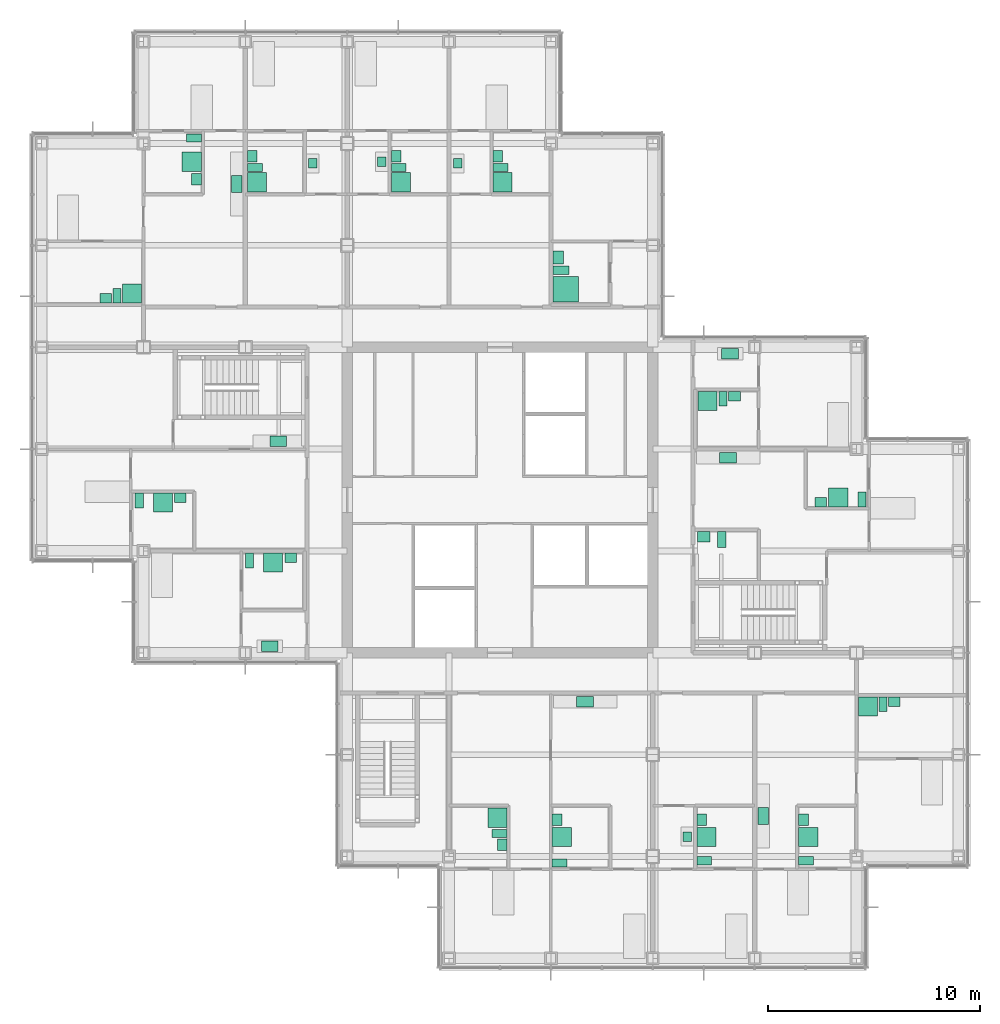
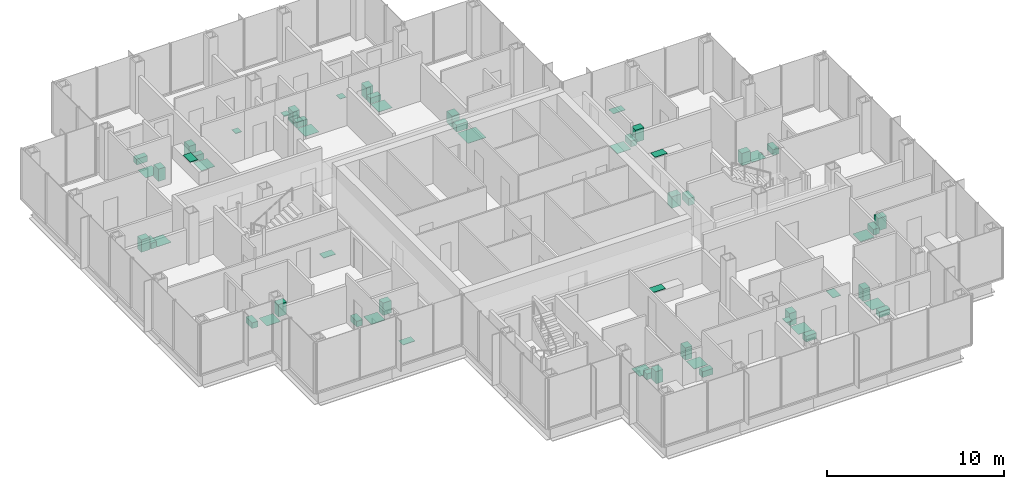
# One storey, part 19 of 20: 58 sanitary terminals.
"""IFC4 building model written with IfcOpenShell, lengths in metres."""

from ifc_helpers import new_model, si_unit, direction, frame, origin, origin_2d, place, context, subcontext, project, spatial, rectangle, extrude, material, type_object, element, save


model = new_model("IFC4")

# Units and contexts
model_context = context("Model", 3, precision=1e-05, world=origin(), true_north=direction((0.0, 1.0)))
body_context = subcontext(model_context, "Body", "Model", "MODEL_VIEW")
ifc_project = project(units=[si_unit("LENGTHUNIT", "METRE"), si_unit("AREAUNIT", "SQUARE_METRE"), si_unit("VOLUMEUNIT", "CUBIC_METRE"), si_unit("PLANEANGLEUNIT", "RADIAN"), si_unit("MASSUNIT", "GRAM", prefix="KILO")], contexts=[model_context])

# Site, building, storey
site_placement = place(None, origin())
site = spatial("IfcSite", under=ifc_project, at=site_placement, CompositionType="ELEMENT")
building_placement = place(site_placement, origin())
building = spatial("IfcBuilding", under=site, at=building_placement, Name="Kvirike Care Tower", CompositionType="ELEMENT")
storey_placement = place(building_placement, frame((0.0, 0.0, 119.0)))
storey = spatial("IfcBuildingStorey", under=building, at=storey_placement, Name="L32", CompositionType="ELEMENT", Elevation=119.0)

# Sanitary terminals
ifc_material_1 = material(Name="Vitreous china", Category="ceramic")
sanitary_terminal_type_1 = type_object("IfcSanitaryTerminalType", Name="ACCESSIBLE WASH BASIN 600 x 500", PredefinedType="WASHHANDBASIN", material=ifc_material_1)
for number, where, z_axis, x_axis, name in (
    (1, (24.35205078125, 47.425048828125, 0.02001953125), (0.0, 0.0, 1.0), (0.0, 1.0, 0.0), "Accessible wash basin L32-032"),
    (2, (31.199951171875, 34.27294921875, 0.02001953125), (0.0, 0.0, 1.0), (1.0, 0.0, 0.0), "Accessible wash basin L32-056"),
):
    element("IfcSanitaryTerminal", number, at=place(storey_placement, frame(where, z_axis=z_axis, x_axis=x_axis)), inside=storey, type_object=sanitary_terminal_type_1, Name=name, PredefinedType="WASHHANDBASIN", context=body_context, shape_type="SweptSolid", body=[
        extrude(rectangle(XDim=0.60009765625, YDim=0.5, at=origin_2d()), origin(), (0.0, 0.0, 1.0), 0.800048828125),
    ])
ifc_material_2 = material(Name="Vitreous china", Category="ceramic")
sanitary_terminal_type_2 = type_object("IfcSanitaryTerminalType", Name="ACCESSIBLE WC PAN 400 x 750", PredefinedType="TOILETPAN", material=ifc_material_2)
for number, where, z_axis, x_axis, name in (
    (3, (24.47705078125, 46.824951171875, 0.02001953125), (0.0, 0.0, 1.0), (0.0, 1.0, 0.0), "Accessible WC pan L32-032"),
    (4, (32.050048828125, 34.14794921875, 0.02001953125), (0.0, 0.0, 1.0), (1.0, 0.0, 0.0), "Accessible WC pan L32-056"),
):
    element("IfcSanitaryTerminal", number, at=place(storey_placement, frame(where, z_axis=z_axis, x_axis=x_axis)), inside=storey, type_object=sanitary_terminal_type_2, Name=name, PredefinedType="TOILETPAN", context=body_context, shape_type="SweptSolid", body=[
        extrude(rectangle(XDim=0.39990234375, YDim=0.75, at=origin_2d()), origin(), (0.0, 0.0, 1.0), 0.47998046875),
    ])
ifc_material_3 = material(Name="Stainless steel", Category="steel")
sanitary_terminal_type_3 = type_object("IfcSanitaryTerminalType", Name="KITCHEN SINK 450 x 400", PredefinedType="SINK", material=ifc_material_3)
for number, where, z_axis, x_axis, name in (
    (5, (12.777099609375, 51.860107421875, 0.89990234375), (0.0, 0.0, 1.0), (0.0, 1.0, 0.0), "Kitchen sink L32-014"),
    (6, (19.60205078125, 51.860107421875, 0.89990234375), (0.0, 0.0, 1.0), (0.0, 1.0, 0.0), "Kitchen sink L32-036"),
    (7, (16.02294921875, 51.93994140625, 0.89990234375), (0.0, 0.0, 1.0), (0.0, -1.0, 0.0), "Kitchen sink L32-040"),
    (8, (30.423095703125, 20.139892578125, 0.89990234375), (0.0, 0.0, 1.0), (0.0, -1.0, 0.0), "Kitchen sink L32-045"),
):
    element("IfcSanitaryTerminal", number, at=place(storey_placement, frame(where, z_axis=z_axis, x_axis=x_axis)), inside=storey, type_object=sanitary_terminal_type_3, Name=name, PredefinedType="SINK", context=body_context, shape_type="SweptSolid", body=[
        extrude(rectangle(XDim=0.449951171875, YDim=0.39990234375, at=origin_2d()), origin(), (0.0, 0.0, 1.0), 0.030029296875),
    ])
ifc_material_4 = material(Name="Stainless steel", Category="steel")
sanitary_terminal_type_4 = type_object("IfcSanitaryTerminalType", Name="KITCHEN SINK 800 x 500", PredefinedType="SINK", material=ifc_material_4)
for number, where, z_axis, x_axis, name in (
    (9, (11.14990234375, 38.761962890625, 0.89990234375), (0.0, 0.0, 1.0), (-1.0, 0.0, 0.0), "Kitchen sink L32-006"),
    (10, (10.75, 29.10205078125, 0.89990234375), (0.0, 0.0, 1.0), (-1.0, 0.0, 0.0), "Kitchen sink L32-010"),
    (11, (9.197998046875, 50.889892578125, 0.89990234375), (0.0, 0.0, 1.0), (0.0, -1.0, 0.0), "Kitchen sink L32-020"),
    (12, (25.610107421875, 26.498046875, 0.89990234375), (0.0, 0.0, 1.0), (1.0, 0.0, 0.0), "Kitchen sink L32-029"),
    (13, (34.001953125, 21.110107421875, 0.89990234375), (0.0, 0.0, 1.0), (0.0, 1.0, 0.0), "Kitchen sink L32-051"),
    (14, (32.35009765625, 37.998046875, 0.89990234375), (0.0, 0.0, 1.0), (1.0, 0.0, 0.0), "Kitchen sink L32-058"),
    (15, (32.449951171875, 42.89794921875, 0.89990234375), (0.0, 0.0, 1.0), (1.0, 0.0, 0.0), "Kitchen sink L32-061"),
):
    element("IfcSanitaryTerminal", number, at=place(storey_placement, frame(where, z_axis=z_axis, x_axis=x_axis)), inside=storey, type_object=sanitary_terminal_type_4, Name=name, PredefinedType="SINK", context=body_context, shape_type="SweptSolid", body=[
        extrude(rectangle(XDim=0.800048828125, YDim=0.5, at=origin_2d()), origin(), (0.0, 0.0, 1.0), 0.030029296875),
    ])
ifc_material_5 = material(Name="Stainless steel", Category="steel")
sanitary_terminal_type_5 = type_object("IfcSanitaryTerminalType", Name="LEVEL-ACCESS SHOWER 1200 x 1200", PredefinedType="SHOWER", material=ifc_material_5)
sanitary_terminal_placement = place(storey_placement, frame((24.701904296875, 45.925048828125, 0.02001953125), z_axis=(0.0, 0.0, 1.0), x_axis=(0.0, 1.0, 0.0)))
element("IfcSanitaryTerminal", 16, at=sanitary_terminal_placement, inside=storey, type_object=sanitary_terminal_type_5, Name="Level-access shower L32-032", PredefinedType="SHOWER", context=body_context, shape_type="SweptSolid", body=[
    extrude(rectangle(XDim=1.199951171875, YDim=1.199951171875, at=origin_2d()), origin(), (0.0, 0.0, 1.0), 0.02001953125),
])
ifc_material_6 = material(Name="Stainless steel", Category="steel")
sanitary_terminal_type_6 = type_object("IfcSanitaryTerminalType", Name="LEVEL-ACCESS SHOWER 900 x 900", PredefinedType="SHOWER", material=ifc_material_6)
for number, where, z_axis, x_axis, name in (
    (17, (5.7099609375, 35.873046875, 0.02001953125), (0.0, 0.0, 1.0), (1.0, 0.0, 0.0), "Level-access shower L32-005"),
    (18, (10.909912109375, 33.048095703125, 0.02001953125), (0.0, 0.0, 1.0), (1.0, 0.0, 0.0), "Level-access shower L32-009"),
    (19, (10.152099609375, 50.97509765625, 0.02001953125), (0.0, 0.0, 1.0), (0.0, 1.0, 0.0), "Level-access shower L32-013"),
    (20, (7.072998046875, 51.93994140625, 0.02001953125), (0.0, 0.0, 1.0), (0.0, -1.0, 0.0), "Level-access shower L32-018"),
    (21, (4.25, 45.72705078125, 0.02001953125), (0.0, 0.0, 1.0), (-1.0, 0.0, 0.0), "Level-access shower L32-019"),
    (22, (21.472900390625, 21.02490234375, 0.02001953125), (0.0, 0.0, 1.0), (0.0, -1.0, 0.0), "Level-access shower L32-026"),
    (23, (24.511962890625, 20.110107421875, 0.02001953125), (0.0, 0.0, 1.0), (0.0, 1.0, 0.0), "Level-access shower L32-027"),
    (24, (21.72705078125, 50.97509765625, 0.02001953125), (0.0, 0.0, 1.0), (0.0, 1.0, 0.0), "Level-access shower L32-035"),
    (25, (16.927001953125, 50.97509765625, 0.02001953125), (0.0, 0.0, 1.0), (0.0, 1.0, 0.0), "Level-access shower L32-039"),
    (26, (31.326904296875, 20.110107421875, 0.02001953125), (0.0, 0.0, 1.0), (0.0, 1.0, 0.0), "Level-access shower L32-044"),
    (27, (36.126953125, 20.110107421875, 0.02001953125), (0.0, 0.0, 1.0), (0.0, 1.0, 0.0), "Level-access shower L32-049"),
    (28, (38.949951171875, 26.27294921875, 0.02001953125), (0.0, 0.0, 1.0), (1.0, 0.0, 0.0), "Level-access shower L32-050"),
    (29, (37.5400390625, 36.126953125, 0.02001953125), (0.0, 0.0, 1.0), (-1.0, 0.0, 0.0), "Level-access shower L32-057"),
    (30, (31.375, 40.673095703125, 0.02001953125), (0.0, 0.0, 1.0), (1.0, 0.0, 0.0), "Level-access shower L32-060"),
):
    element("IfcSanitaryTerminal", number, at=place(storey_placement, frame(where, z_axis=z_axis, x_axis=x_axis)), inside=storey, type_object=sanitary_terminal_type_6, Name=name, PredefinedType="SHOWER", context=body_context, shape_type="SweptSolid", body=[
        extrude(rectangle(XDim=0.89990234375, YDim=0.89990234375, at=origin_2d()), origin(), (0.0, 0.0, 1.0), 0.02001953125),
    ])
ifc_material_7 = material(Name="Vitreous china", Category="ceramic")
sanitary_terminal_type_7 = type_object("IfcSanitaryTerminalType", Name="WASH BASIN 550 x 450", PredefinedType="WASHHANDBASIN", material=ifc_material_7)
for number, where, z_axis, x_axis, name in (
    (31, (6.534912109375, 36.097900390625, 0.02001953125), (0.0, 0.0, 1.0), (1.0, 0.0, 0.0), "Wash basin L32-005"),
    (32, (11.735107421875, 33.27294921875, 0.02001953125), (0.0, 0.0, 1.0), (1.0, 0.0, 0.0), "Wash basin L32-009"),
    (33, (9.927001953125, 52.199951171875, 0.02001953125), (0.0, 0.0, 1.0), (0.0, 1.0, 0.0), "Wash basin L32-013"),
    (34, (7.298095703125, 51.114990234375, 0.02001953125), (0.0, 0.0, 1.0), (0.0, -1.0, 0.0), "Wash basin L32-018"),
    (35, (3.02490234375, 45.501953125, 0.02001953125), (0.0, 0.0, 1.0), (-1.0, 0.0, 0.0), "Wash basin L32-019"),
    (36, (21.697998046875, 19.75, 0.02001953125), (0.0, 0.0, 1.0), (0.0, -1.0, 0.0), "Wash basin L32-026"),
    (37, (24.287109375, 20.93505859375, 0.02001953125), (0.0, 0.0, 1.0), (0.0, 1.0, 0.0), "Wash basin L32-027"),
    (38, (21.501953125, 52.199951171875, 0.02001953125), (0.0, 0.0, 1.0), (0.0, 1.0, 0.0), "Wash basin L32-035"),
    (39, (16.701904296875, 52.199951171875, 0.02001953125), (0.0, 0.0, 1.0), (0.0, 1.0, 0.0), "Wash basin L32-039"),
    (40, (31.10205078125, 20.93505859375, 0.02001953125), (0.0, 0.0, 1.0), (0.0, 1.0, 0.0), "Wash basin L32-044"),
    (41, (35.902099609375, 20.93505859375, 0.02001953125), (0.0, 0.0, 1.0), (0.0, 1.0, 0.0), "Wash basin L32-049"),
    (42, (40.175048828125, 26.498046875, 0.02001953125), (0.0, 0.0, 1.0), (1.0, 0.0, 0.0), "Wash basin L32-050"),
    (43, (36.715087890625, 35.902099609375, 0.02001953125), (0.0, 0.0, 1.0), (-1.0, 0.0, 0.0), "Wash basin L32-057"),
    (44, (32.64990234375, 40.89794921875, 0.02001953125), (0.0, 0.0, 1.0), (1.0, 0.0, 0.0), "Wash basin L32-060"),
):
    element("IfcSanitaryTerminal", number, at=place(storey_placement, frame(where, z_axis=z_axis, x_axis=x_axis)), inside=storey, type_object=sanitary_terminal_type_7, Name=name, PredefinedType="WASHHANDBASIN", context=body_context, shape_type="SweptSolid", body=[
        extrude(rectangle(XDim=0.550048828125, YDim=0.449951171875, at=origin_2d()), origin(), (0.0, 0.0, 1.0), 0.85009765625),
    ])
ifc_material_8 = material(Name="Vitreous china", Category="ceramic")
sanitary_terminal_type_8 = type_object("IfcSanitaryTerminalType", Name="WC PAN 380 x 700", PredefinedType="TOILETPAN", material=ifc_material_8)
for number, where, z_axis, x_axis, name in (
    (45, (4.60009765625, 35.972900390625, 0.02001953125), (0.0, 0.0, 1.0), (1.0, 0.0, 0.0), "WC pan L32-005"),
    (46, (9.800048828125, 33.14794921875, 0.02001953125), (0.0, 0.0, 1.0), (1.0, 0.0, 0.0), "WC pan L32-009"),
    (47, (10.052001953125, 51.6650390625, 0.02001953125), (0.0, 0.0, 1.0), (0.0, 1.0, 0.0), "WC pan L32-013"),
    (48, (7.173095703125, 53.050048828125, 0.02001953125), (0.0, 0.0, 1.0), (0.0, -1.0, 0.0), "WC pan L32-018"),
    (49, (3.56005859375, 45.626953125, 0.02001953125), (0.0, 0.0, 1.0), (-1.0, 0.0, 0.0), "WC pan L32-019"),
    (50, (21.572998046875, 20.284912109375, 0.02001953125), (0.0, 0.0, 1.0), (0.0, -1.0, 0.0), "WC pan L32-026"),
    (51, (24.412109375, 18.89990234375, 0.02001953125), (0.0, 0.0, 1.0), (0.0, 1.0, 0.0), "WC pan L32-027"),
    (52, (21.626953125, 51.6650390625, 0.02001953125), (0.0, 0.0, 1.0), (0.0, 1.0, 0.0), "WC pan L32-035"),
    (53, (16.826904296875, 51.6650390625, 0.02001953125), (0.0, 0.0, 1.0), (0.0, 1.0, 0.0), "WC pan L32-039"),
    (54, (31.22705078125, 19.0, 0.02001953125), (0.0, 0.0, 1.0), (0.0, 1.0, 0.0), "WC pan L32-044"),
    (55, (36.027099609375, 19.0, 0.02001953125), (0.0, 0.0, 1.0), (0.0, 1.0, 0.0), "WC pan L32-049"),
    (56, (39.639892578125, 26.373046875, 0.02001953125), (0.0, 0.0, 1.0), (1.0, 0.0, 0.0), "WC pan L32-050"),
    (57, (38.64990234375, 36.027099609375, 0.02001953125), (0.0, 0.0, 1.0), (-1.0, 0.0, 0.0), "WC pan L32-057"),
    (58, (32.114990234375, 40.77294921875, 0.02001953125), (0.0, 0.0, 1.0), (1.0, 0.0, 0.0), "WC pan L32-060"),
):
    element("IfcSanitaryTerminal", number, at=place(storey_placement, frame(where, z_axis=z_axis, x_axis=x_axis)), inside=storey, type_object=sanitary_terminal_type_8, Name=name, PredefinedType="TOILETPAN", context=body_context, shape_type="SweptSolid", body=[
        extrude(rectangle(XDim=0.3798828125, YDim=0.699951171875, at=origin_2d()), origin(), (0.0, 0.0, 1.0), 0.39990234375),
    ])

save(model, "model.ifc")
